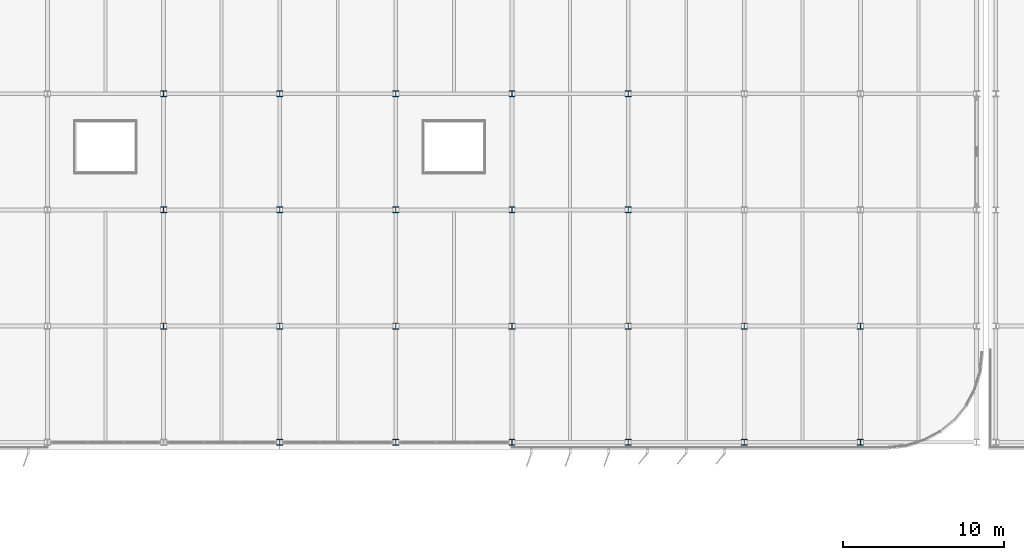
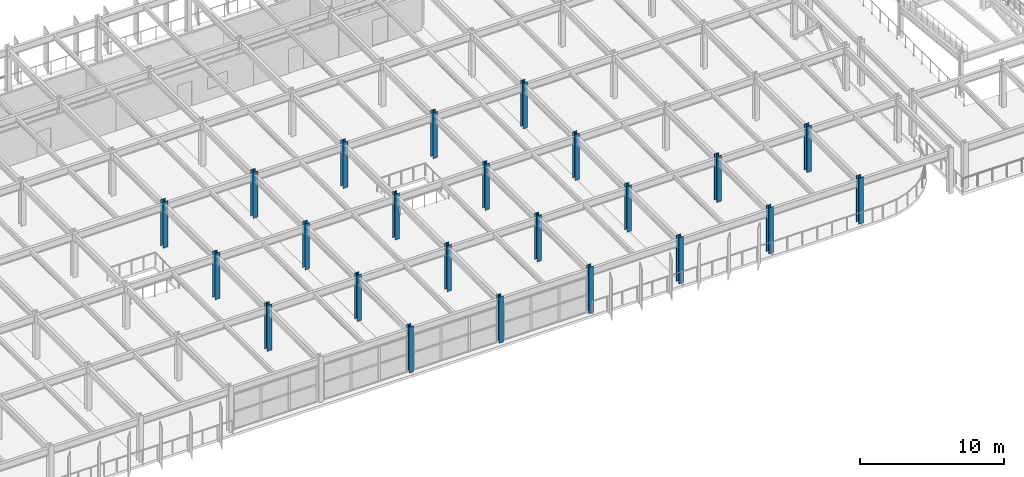
# One storey, part 5 of 52: 23 columns.
"""IFC4 building model written with IfcOpenShell, lengths in metres."""

import ifcopenshell
import ifcopenshell.guid

model = None  # the IFC model being written
_history = None  # IfcOwnerHistory: only IFC2X3 demands one
_inside = {}  # id of a spatial element -> (the spatial element, [elements in it])
_under = {}  # id of a project, library or spatial element -> (it, [spatial elements below it])
_declared = {}  # id of a project -> (the project, [libraries it declares])
_typed = {}  # id of a type object -> (the type object, [elements of that type])
_made_of = {}  # id of a material, layer set ... -> (it, [elements and type objects made of it])


def new_model(schema):
    """Start an empty IFC model of exactly this schema.

    Asked for "IFC4X3", IfcOpenShell would pick the latest addendum, in which some entities
    have other attributes; the version numbers below select the first issue.
    IFC2X3 requires an IfcOwnerHistory on every rooted entity: one is made here for all.
    """
    global model, _history
    if schema == "IFC4X3":
        model = ifcopenshell.file(schema_version=(4, 3, 0, 0))
    else:
        model = ifcopenshell.file(schema=schema)
    _inside.clear()
    _under.clear()
    _declared.clear()
    _typed.clear()
    _made_of.clear()
    _history = None
    if model.schema == "IFC2X3":
        org = make("IfcOrganization", Name="unknown")
        user = make(
            "IfcPersonAndOrganization",
            ThePerson=make("IfcPerson", FamilyName="unknown"),
            TheOrganization=org,
        )
        app = make(
            "IfcApplication",
            ApplicationDeveloper=org,
            Version="unknown",
            ApplicationFullName="unknown",
            ApplicationIdentifier="unknown",
        )
        _history = make(
            "IfcOwnerHistory",
            OwningUser=user,
            OwningApplication=app,
            ChangeAction="ADDED",
            CreationDate=0,
        )
    return model


def make(cls, **values):
    """One entity of the class cls with the attributes given. An attribute that is None is left unset."""
    return model.create_entity(
        cls, **{name: value for name, value in values.items() if value is not None}
    )


def rooted(cls, **values):
    """An entity with a GlobalId (a new one), such as an element, a storey or a relation."""
    return make(cls, GlobalId=ifcopenshell.guid.new(), OwnerHistory=_history, **values)


def si_unit(unit_type, name, prefix=None):
    """IfcSIUnit, for example si_unit("LENGTHUNIT", "METRE", prefix="MILLI")."""
    return make("IfcSIUnit", UnitType=unit_type, Prefix=prefix, Name=name)


def assignment(units):
    """IfcUnitAssignment: the units of a project."""
    return None if units is None else make("IfcUnitAssignment", Units=units)


def point(xyz):
    """IfcCartesianPoint."""
    return None if xyz is None else make("IfcCartesianPoint", Coordinates=xyz)


def direction(xyz):
    """IfcDirection."""
    return None if xyz is None else make("IfcDirection", DirectionRatios=xyz)


def frame(location, z_axis=None, x_axis=None):
    """IfcAxis2Placement3D, a coordinate frame: its origin and axes. An axis left out is left unset."""
    return make(
        "IfcAxis2Placement3D",
        Location=point(location),
        Axis=direction(z_axis),
        RefDirection=direction(x_axis),
    )


def frame_2d(location, x_axis=None):
    """IfcAxis2Placement2D, a coordinate frame in the plane: its origin and x axis."""
    return make(
        "IfcAxis2Placement2D", Location=point(location), RefDirection=direction(x_axis)
    )


def origin():
    """The frame at (0, 0, 0) with its axes left unset."""
    return frame((0.0, 0.0, 0.0))


def origin_2d():
    """The frame at (0, 0) in the plane with its x axis left unset."""
    return frame_2d((0.0, 0.0))


def place(relative_to, where):
    """IfcLocalPlacement: puts the frame where relative to a parent placement (None: the world)."""
    return make(
        "IfcLocalPlacement", PlacementRelTo=relative_to, RelativePlacement=where
    )


def context(
    kind, dimensions, precision=None, world=None, true_north=None, identifier=None
):
    """IfcGeometricRepresentationContext, for example the 3D "Model" context."""
    return make(
        "IfcGeometricRepresentationContext",
        ContextIdentifier=identifier,
        ContextType=kind,
        CoordinateSpaceDimension=dimensions,
        Precision=precision,
        WorldCoordinateSystem=world,
        TrueNorth=true_north,
    )


def subcontext(parent, identifier, kind, view, scale=None):
    """IfcGeometricRepresentationSubContext, for example "Body" below "Model"."""
    return make(
        "IfcGeometricRepresentationSubContext",
        ContextIdentifier=identifier,
        ContextType=kind,
        ParentContext=parent,
        TargetScale=scale,
        TargetView=view,
    )


def project(units=None, contexts=None):
    """IfcProject with its units and contexts."""
    return rooted(
        "IfcProject",
        Name="project",
        RepresentationContexts=contexts,
        UnitsInContext=assignment(units),
    )


def spatial(cls, under=None, at=None, **own):
    """A site, building, storey or space (cls), placed at a placement, below another one or the project."""
    s = rooted(cls, ObjectPlacement=at, **own)
    if under is not None:
        _under.setdefault(under.id(), (under, []))[1].append(s)
    return s


def profile(cls, at=None, kind="AREA", **sizes):
    """A parametric profile (cls). Its sizes go by their IFC names, for example OverallWidth=200.0."""
    return make(cls, ProfileType=kind, Position=at, **sizes)


def i_section(**sizes):
    """IfcIShapeProfileDef."""
    return profile("IfcIShapeProfileDef", **sizes)


def extrude(swept, where, along, depth):
    """IfcExtrudedAreaSolid: the profile swept, set in the frame where, extruded along a direction by depth."""
    return make(
        "IfcExtrudedAreaSolid",
        SweptArea=swept,
        Position=where,
        ExtrudedDirection=direction(along),
        Depth=depth,
    )


def shape(context_of_items, identifier, shape_type, items):
    """IfcShapeRepresentation: the items that make up one representation, for example the "Body"."""
    return make(
        "IfcShapeRepresentation",
        ContextOfItems=context_of_items,
        RepresentationIdentifier=identifier,
        RepresentationType=shape_type,
        Items=items,
    )


def material(Name=None, Category=None):
    """IfcMaterial."""
    return make("IfcMaterial", Name=Name, Category=Category)


def material_profile(
    of_material, cross_section, Name=None, Category=None, Priority=None
):
    """IfcMaterialProfile: a cross section and its material."""
    return make(
        "IfcMaterialProfile",
        Name=Name,
        Material=of_material,
        Profile=cross_section,
        Priority=Priority,
        Category=Category,
    )


def profile_set(profiles, Name=None, composite=None):
    """IfcMaterialProfileSet."""
    return make(
        "IfcMaterialProfileSet",
        Name=Name,
        MaterialProfiles=profiles,
        CompositeProfile=composite,
    )


def made_of(thing, what):
    """Note that an element or type object is made of a material, layer set ...; save() writes the relation."""
    if what is not None:
        _made_of.setdefault(what.id(), (what, []))[1].append(thing)
    return thing


def type_object(cls, material=None, **own):
    """A type object (cls), such as IfcWallType, which elements share."""
    return made_of(rooted(cls, **own), material)


def element(
    cls,
    number,
    at=None,
    inside=None,
    cuts=None,
    type_object=None,
    material=None,
    context=None,
    identifier="Body",
    shape_type=None,
    held_by="IfcProductDefinitionShape",
    body=None,
    shapes=None,
    **own,
):
    """One element of the class cls, such as IfcWall. Its Tag is "e" and its number.

    at: its placement. inside: the storey or other place that contains it. cuts: it is an
    opening in that element (IfcRelVoidsElement). A single representation is given by context,
    identifier, shape_type and body (its items); several are given by shapes. held_by: the class
    of the entity that holds the representations. save() writes the other relations.
    """
    e = rooted(cls, Tag="e%d" % number, ObjectPlacement=at, **own)
    if body is not None:
        shapes = [shape(context, identifier, shape_type, body)]
    if shapes is not None:
        e.Representation = make(held_by, Representations=shapes)
    if inside is not None:
        _inside.setdefault(inside.id(), (inside, []))[1].append(e)
    if cuts is not None:
        rooted(
            "IfcRelVoidsElement", RelatingBuildingElement=cuts, RelatedOpeningElement=e
        )
    if type_object is not None:
        _typed.setdefault(type_object.id(), (type_object, []))[1].append(e)
    return made_of(e, material)


def aggregate(whole, parts):
    """IfcRelAggregates: a whole, such as a stair, and the parts it consists of."""
    return rooted("IfcRelAggregates", RelatingObject=whole, RelatedObjects=parts)


def save(model, path):
    """Write the relations noted so far, then the file.

    IfcRelAggregates (storeys below a building ...), IfcRelContainedInSpatialStructure (elements
    in a storey), IfcRelDefinesByType, IfcRelAssociatesMaterial and IfcRelDeclares: one each for
    every whole, place, type object, material and project.
    """
    for whole, parts in _under.values():
        aggregate(whole, parts)
    for where, things in _inside.values():
        rooted(
            "IfcRelContainedInSpatialStructure",
            RelatedElements=things,
            RelatingStructure=where,
        )
    for kind, things in _typed.values():
        rooted("IfcRelDefinesByType", RelatedObjects=things, RelatingType=kind)
    for what, things in _made_of.values():
        rooted("IfcRelAssociatesMaterial", RelatedObjects=things, RelatingMaterial=what)
    for by, libraries in _declared.values():
        rooted("IfcRelDeclares", RelatingContext=by, RelatedDefinitions=libraries)
    model.write(path)


model = new_model("IFC4")

# Units and contexts
model_context = context("Model", 3, precision=1e-05, world=origin(), true_north=direction((0.0, 1.0)))
body_context = subcontext(model_context, "Body", "Model", "MODEL_VIEW")
ifc_project = project(units=[si_unit("LENGTHUNIT", "METRE"), si_unit("AREAUNIT", "SQUARE_METRE"), si_unit("VOLUMEUNIT", "CUBIC_METRE"), si_unit("PLANEANGLEUNIT", "RADIAN"), si_unit("MASSUNIT", "GRAM", prefix="KILO")], contexts=[model_context])

# Site, building, storey
site_placement = place(None, origin())
site = spatial("IfcSite", under=ifc_project, at=site_placement, CompositionType="ELEMENT")
building_placement = place(site_placement, origin())
building = spatial("IfcBuilding", under=site, at=building_placement, Name="Vaelcorin Mobility Hub", CompositionType="ELEMENT")
storey_placement = place(building_placement, frame((0.0, 0.0, 13.199951171875)))
storey = spatial("IfcBuildingStorey", under=building, at=storey_placement, Name="L03", CompositionType="ELEMENT", Elevation=13.199951171875)

# Columns
ifc_material = material(Name="Steel ASTM A992 Grade 50", Category="steel")
ifc_material_profile_1 = material_profile(ifc_material, i_section(OverallWidth=0.37109375, OverallDepth=0.363037109375, WebThickness=0.01318359375, FlangeThickness=0.021728515625, FilletRadius=0.014892578125, at=origin_2d()), Name="W14X109")
ifc_profile_set_1 = profile_set([ifc_material_profile_1], Name="Steel ASTM A992 Grade 50")
column_type_1 = type_object("IfcColumnType", Name="COL-W14X109", PredefinedType="COLUMN", material=ifc_profile_set_1)
for number, where, z_axis, x_axis, name in (
    (1, (72.0, 91.199951171875, 0.0), (0.0, 0.0, 1.0), (1.0, 0.0, 0.0), "Column V4-X06Y03 L03"),
    (2, (72.0, 98.39990234375, 0.0), (0.0, 0.0, 1.0), (1.0, 0.0, 0.0), "Column V4-X06Y04 L03"),
    (3, (79.199951171875, 76.800048828125, 0.0), (0.0, 0.0, 1.0), (1.0, 0.0, 0.0), "Column V4-X07Y01 L03"),
    (4, (79.199951171875, 91.199951171875, 0.0), (0.0, 0.0, 1.0), (1.0, 0.0, 0.0), "Column V4-X07Y03 L03"),
    (5, (79.199951171875, 98.39990234375, 0.0), (0.0, 0.0, 1.0), (1.0, 0.0, 0.0), "Column V4-X07Y04 L03"),
    (6, (86.39990234375, 76.800048828125, 0.0), (0.0, 0.0, 1.0), (1.0, 0.0, 0.0), "Column V4-X08Y01 L03"),
    (7, (86.39990234375, 91.199951171875, 0.0), (0.0, 0.0, 1.0), (1.0, 0.0, 0.0), "Column V4-X08Y03 L03"),
    (8, (86.39990234375, 98.39990234375, 0.0), (0.0, 0.0, 1.0), (1.0, 0.0, 0.0), "Column V4-X08Y04 L03"),
    (9, (93.60009765625, 76.800048828125, 0.0), (0.0, 0.0, 1.0), (1.0, 0.0, 0.0), "Column V4-X09Y01 L03"),
    (10, (93.60009765625, 91.199951171875, 0.0), (0.0, 0.0, 1.0), (1.0, 0.0, 0.0), "Column V4-X09Y03 L03"),
    (11, (93.60009765625, 98.39990234375, 0.0), (0.0, 0.0, 1.0), (1.0, 0.0, 0.0), "Column V4-X09Y04 L03"),
    (12, (100.800048828125, 76.800048828125, 0.0), (0.0, 0.0, 1.0), (1.0, 0.0, 0.0), "Column V4-X10Y01 L03"),
    (13, (100.800048828125, 91.199951171875, 0.0), (0.0, 0.0, 1.0), (1.0, 0.0, 0.0), "Column V4-X10Y03 L03"),
    (14, (100.800048828125, 98.39990234375, 0.0), (0.0, 0.0, 1.0), (1.0, 0.0, 0.0), "Column V4-X10Y04 L03"),
    (15, (108.0, 76.800048828125, 0.0), (0.0, 0.0, 1.0), (1.0, 0.0, 0.0), "Column V4-X11Y01 L03"),
    (16, (115.199951171875, 76.800048828125, 0.0), (0.0, 0.0, 1.0), (1.0, 0.0, 0.0), "Column V4-X12Y01 L03"),
):
    element("IfcColumn", number, at=place(storey_placement, frame(where, z_axis=z_axis, x_axis=x_axis)), inside=storey, type_object=column_type_1, Name=name, PredefinedType="COLUMN", context=body_context, shape_type="SweptSolid", body=[
        extrude(i_section(OverallWidth=0.37109375, OverallDepth=0.363037109375, WebThickness=0.01318359375, FlangeThickness=0.021728515625, FilletRadius=0.014892578125, at=origin_2d()), origin(), (0.0, 0.0, 1.0), 3.900146484375),
    ])
ifc_material_profile_2 = material_profile(ifc_material, i_section(OverallWidth=0.373046875, OverallDepth=0.373046875, WebThickness=0.016357421875, FlangeThickness=0.026123046875, FilletRadius=0.014892578125, at=origin_2d()), Name="W14X132")
ifc_profile_set_2 = profile_set([ifc_material_profile_2], Name="Steel ASTM A992 Grade 50")
column_type_2 = type_object("IfcColumnType", Name="COL-W14X132", PredefinedType="COLUMN", material=ifc_profile_set_2)
for number, where, z_axis, x_axis, name in (
    (17, (72.0, 84.0, 0.0), (0.0, 0.0, 1.0), (1.0, 0.0, 0.0), "Column V4-X06Y02 L03"),
    (18, (79.199951171875, 84.0, 0.0), (0.0, 0.0, 1.0), (1.0, 0.0, 0.0), "Column V4-X07Y02 L03"),
    (19, (86.39990234375, 84.0, 0.0), (0.0, 0.0, 1.0), (1.0, 0.0, 0.0), "Column V4-X08Y02 L03"),
    (20, (93.60009765625, 84.0, 0.0), (0.0, 0.0, 1.0), (1.0, 0.0, 0.0), "Column V4-X09Y02 L03"),
    (21, (100.800048828125, 84.0, 0.0), (0.0, 0.0, 1.0), (1.0, 0.0, 0.0), "Column V4-X10Y02 L03"),
    (22, (108.0, 84.0, 0.0), (0.0, 0.0, 1.0), (1.0, 0.0, 0.0), "Column V4-X11Y02 L03"),
    (23, (115.199951171875, 84.0, 0.0), (0.0, 0.0, 1.0), (1.0, 0.0, 0.0), "Column V4-X12Y02 L03"),
):
    element("IfcColumn", number, at=place(storey_placement, frame(where, z_axis=z_axis, x_axis=x_axis)), inside=storey, type_object=column_type_2, Name=name, PredefinedType="COLUMN", context=body_context, shape_type="SweptSolid", body=[
        extrude(i_section(OverallWidth=0.373046875, OverallDepth=0.373046875, WebThickness=0.016357421875, FlangeThickness=0.026123046875, FilletRadius=0.014892578125, at=origin_2d()), origin(), (0.0, 0.0, 1.0), 3.900146484375),
    ])

save(model, "model.ifc")
